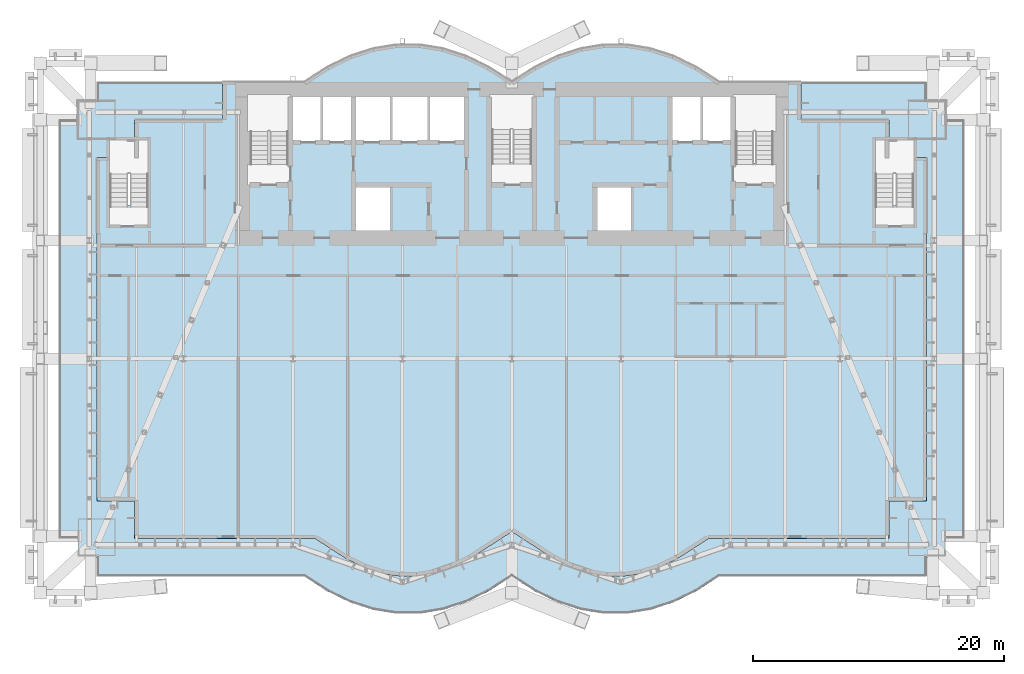
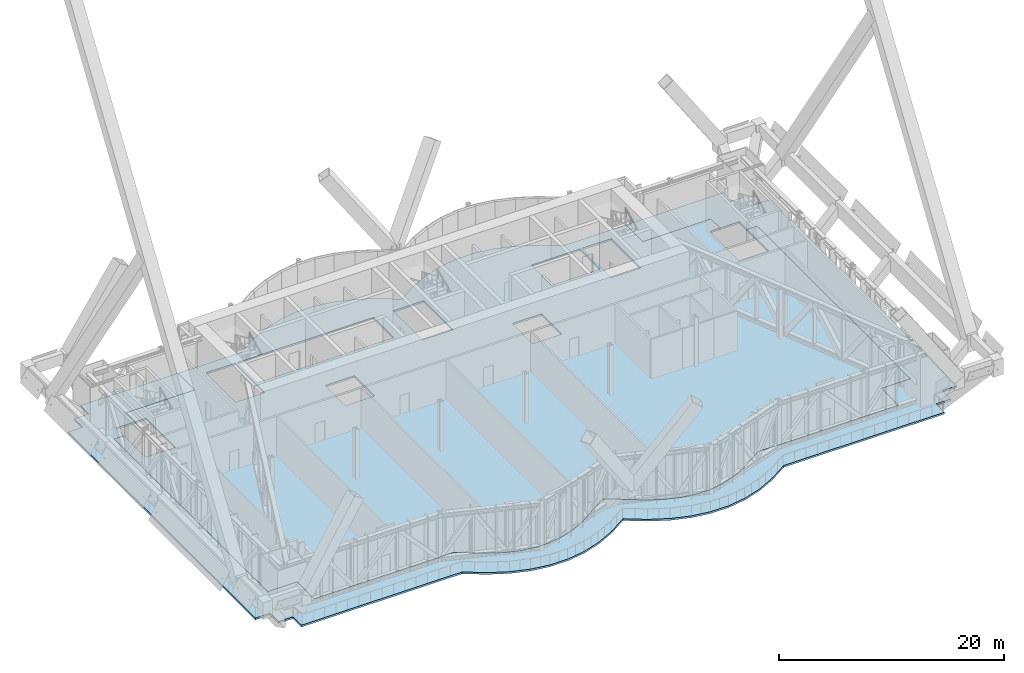
# One storey, part 22 of 32: 2 slabs.
"""IFC4 building model written with IfcOpenShell, lengths in metres."""

from ifc_helpers import new_model, si_unit, direction, frame, origin, place, context, subcontext, project, spatial, polyline, outline, extrude, material, layer, layer_set, type_object, element, save


model = new_model("IFC4")

# Units and contexts
model_context = context("Model", 3, precision=1e-05, world=origin(), true_north=direction((0.0, 1.0)))
body_context = subcontext(model_context, "Body", "Model", "MODEL_VIEW")
ifc_project = project(units=[si_unit("LENGTHUNIT", "METRE"), si_unit("AREAUNIT", "SQUARE_METRE"), si_unit("VOLUMEUNIT", "CUBIC_METRE"), si_unit("PLANEANGLEUNIT", "RADIAN"), si_unit("MASSUNIT", "GRAM", prefix="KILO")], contexts=[model_context])

# Site, building, storey
site_placement = place(None, origin())
site = spatial("IfcSite", under=ifc_project, at=site_placement, CompositionType="ELEMENT")
building_placement = place(site_placement, origin())
building = spatial("IfcBuilding", under=site, at=building_placement, Name="Bicima Exchange Tower", CompositionType="ELEMENT")
storey_placement = place(building_placement, frame((0.0, 0.0, 84.5)))
storey = spatial("IfcBuildingStorey", under=building, at=storey_placement, Name="L17", CompositionType="ELEMENT", Elevation=84.5)

# Slabs
ifc_material = material(Name="Concrete C40/50", Category="concrete")
ifc_layer = layer(ifc_material, 0.199951171875)
ifc_layer_set = layer_set([ifc_layer], Name="Concrete C40/50")
slab_type = type_object("IfcSlabType", Name="Composite refuge floor slab 200", PredefinedType="FLOOR", material=ifc_layer_set)
slab_1_placement = place(storey_placement, frame((0.0, 0.0, -0.199951171875)))
element("IfcSlab", 1, at=slab_1_placement, inside=storey, type_object=slab_type, Name="Floor slab", PredefinedType="FLOOR", context=body_context, shape_type="SweptSolid", body=[
    extrude(outline(polyline([(33.0, -6.0), (33.0, -33.31591796875), (30.0, -33.31591796875), (30.0, -36.31591796875), (15.61474609375, -36.31591796875), (13.1923828125, -37.882080078125), (11.712158203125, -38.599609375), (10.295166015625, -39.0576171875), (8.92578125, -39.279052734375), (7.57421875, -39.279052734375), (6.204833984375, -39.0576171875), (4.787841796875, -38.599609375), (3.3076171875, -37.882080078125), (0.0, -35.74365234375), (-3.3076171875, -37.882080078125), (-4.787841796875, -38.599609375), (-6.204833984375, -39.0576171875), (-7.57421875, -39.279052734375), (-8.92578125, -39.279052734375), (-10.295166015625, -39.0576171875), (-11.712158203125, -38.599609375), (-13.1923828125, -37.882080078125), (-15.61474609375, -36.31591796875), (-30.0, -36.31591796875), (-30.0, -33.31591796875), (-33.0, -33.31591796875), (-33.0, -6.0), (-31.97509765625, -6.0), (-31.97509765625, -9.824951171875), (-28.925048828125, -9.824951171875), (-28.925048828125, -4.625), (-30.0, -4.625), (-30.0, -3.0), (-23.0, -3.0), (-23.0, 0.0), (-16.5, 0.0), (-14.666748046875, 1.185302734375), (-12.833251953125, 2.07421875), (-11.0, 2.666748046875), (-9.166748046875, 2.962890625), (-7.333251953125, 2.962890625), (-5.5, 2.666748046875), (-3.666748046875, 2.07421875), (-1.833251953125, 1.185302734375), (0.0, 0.0), (1.833251953125, 1.185302734375), (3.666748046875, 2.07421875), (5.5, 2.666748046875), (7.333251953125, 2.962890625), (9.166748046875, 2.962890625), (11.0, 2.666748046875), (12.833251953125, 2.07421875), (14.666748046875, 1.185302734375), (16.5, 0.0), (23.0, 0.0), (23.0, -3.0), (30.0, -3.0), (30.0, -4.625), (28.925048828125, -4.625), (28.925048828125, -9.824951171875), (31.97509765625, -9.824951171875), (31.97509765625, -6.0), (33.0, -6.0)]), holes=[polyline([(-9.60009765625, -11.800048828125), (-9.60009765625, -8.199951171875), (-12.60009765625, -8.199951171875), (-12.60009765625, -11.800048828125), (-9.60009765625, -11.800048828125)]), polyline([(-20.800048828125, -6.449951171875), (-17.800048828125, -6.449951171875), (-17.800048828125, -1.199951171875), (-20.800048828125, -1.199951171875), (-20.800048828125, -6.449951171875)]), polyline([(-9.60009765625, -1.199951171875), (-12.60009765625, -1.199951171875), (-15.10009765625, -1.199951171875), (-17.60009765625, -1.199951171875), (-17.60009765625, -4.800048828125), (-15.10009765625, -4.800048828125), (-12.60009765625, -4.800048828125), (-9.60009765625, -4.800048828125), (-6.60009765625, -4.800048828125), (-3.60009765625, -4.800048828125), (-3.60009765625, -1.199951171875), (-6.60009765625, -1.199951171875), (-9.60009765625, -1.199951171875)]), polyline([(9.60009765625, -11.800048828125), (9.60009765625, -8.199951171875), (6.60009765625, -8.199951171875), (6.60009765625, -11.800048828125), (9.60009765625, -11.800048828125)]), polyline([(17.800048828125, -6.449951171875), (20.800048828125, -6.449951171875), (20.800048828125, -1.199951171875), (17.800048828125, -1.199951171875), (17.800048828125, -6.449951171875)]), polyline([(-1.574951171875, -6.39990234375), (1.574951171875, -6.39990234375), (1.574951171875, -1.199951171875), (-1.574951171875, -1.199951171875), (-1.574951171875, -6.39990234375)]), polyline([(17.60009765625, -4.800048828125), (17.60009765625, -1.199951171875), (15.10009765625, -1.199951171875), (12.60009765625, -1.199951171875), (12.60009765625, -4.800048828125), (15.10009765625, -4.800048828125), (17.60009765625, -4.800048828125)])]), origin(), (0.0, 0.0, 1.0), 0.199951171875),
])
slab_2_placement = place(storey_placement, frame((0.0, 0.0, -0.199951171875)))
element("IfcSlab", 2, at=slab_2_placement, inside=storey, type_object=slab_type, Name="Refuge terrace slab", PredefinedType="FLOOR", context=body_context, shape_type="SweptSolid", body=[
    extrude(outline(polyline([(30.0, -3.0), (23.0, -3.0), (23.0, 0.0), (33.0, 0.0), (33.0, -1.5), (34.5, -1.5), (34.5, -3.0), (36.0, -3.0), (36.0, -36.31591796875), (34.5, -36.31591796875), (34.5, -37.81591796875), (33.0, -37.81591796875), (33.0, -39.31591796875), (16.5, -39.31591796875), (14.666748046875, -40.501220703125), (12.833251953125, -41.39013671875), (11.0, -41.982666015625), (9.166748046875, -42.279052734375), (7.333251953125, -42.279052734375), (5.5, -41.982666015625), (3.666748046875, -41.39013671875), (1.833251953125, -40.501220703125), (0.0, -39.31591796875), (-1.833251953125, -40.501220703125), (-3.666748046875, -41.39013671875), (-5.5, -41.982666015625), (-7.333251953125, -42.279052734375), (-9.166748046875, -42.279052734375), (-11.0, -41.982666015625), (-12.833251953125, -41.39013671875), (-14.666748046875, -40.501220703125), (-16.5, -39.31591796875), (-33.0, -39.31591796875), (-33.0, -37.81591796875), (-34.5, -37.81591796875), (-34.5, -36.31591796875), (-36.0, -36.31591796875), (-36.0, -3.0), (-34.5, -3.0), (-34.5, -1.5), (-33.0, -1.5), (-33.0, 0.0), (-23.0, 0.0), (-23.0, -3.0), (-30.0, -3.0), (-30.0, -4.625), (-31.97509765625, -4.625), (-31.97509765625, -6.0), (-33.0, -6.0), (-33.0, -33.31591796875), (-30.0, -33.31591796875), (-30.0, -36.31591796875), (-15.61474609375, -36.31591796875), (-13.1923828125, -37.882080078125), (-11.712158203125, -38.599609375), (-10.295166015625, -39.0576171875), (-8.92578125, -39.279052734375), (-7.57421875, -39.279052734375), (-6.204833984375, -39.0576171875), (-4.787841796875, -38.599609375), (-3.3076171875, -37.882080078125), (0.0, -35.74365234375), (3.3076171875, -37.882080078125), (4.787841796875, -38.599609375), (6.204833984375, -39.0576171875), (7.57421875, -39.279052734375), (8.92578125, -39.279052734375), (10.295166015625, -39.0576171875), (11.712158203125, -38.599609375), (13.1923828125, -37.882080078125), (15.61474609375, -36.31591796875), (30.0, -36.31591796875), (30.0, -33.31591796875), (33.0, -33.31591796875), (33.0, -6.0), (31.97509765625, -6.0), (31.97509765625, -4.625), (30.0, -4.625), (30.0, -3.0)])), origin(), (0.0, 0.0, 1.0), 0.199951171875),
])

save(model, "model.ifc")
